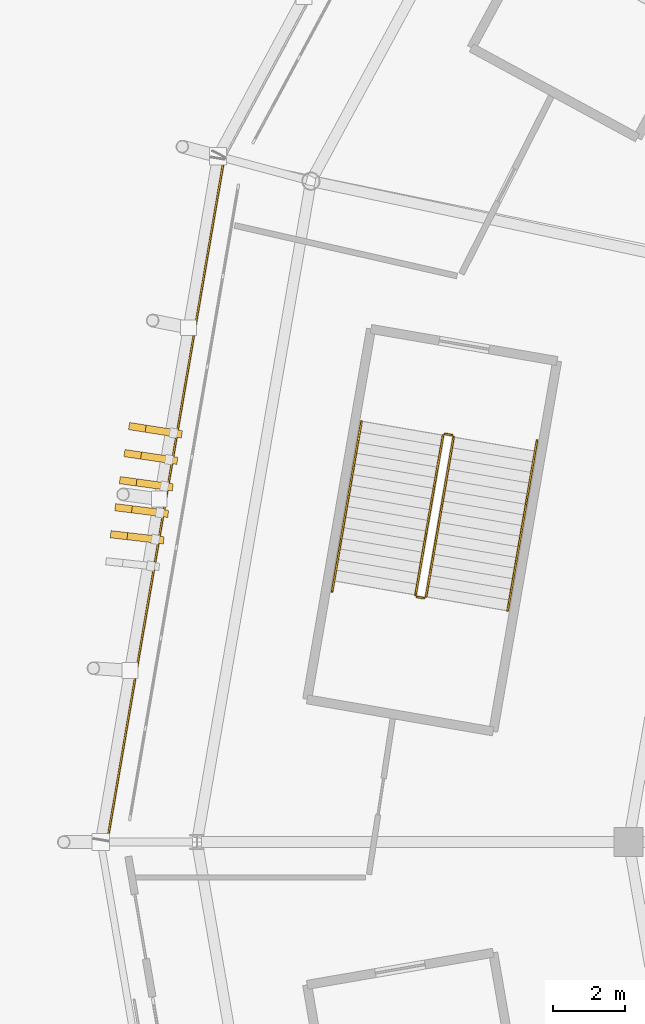
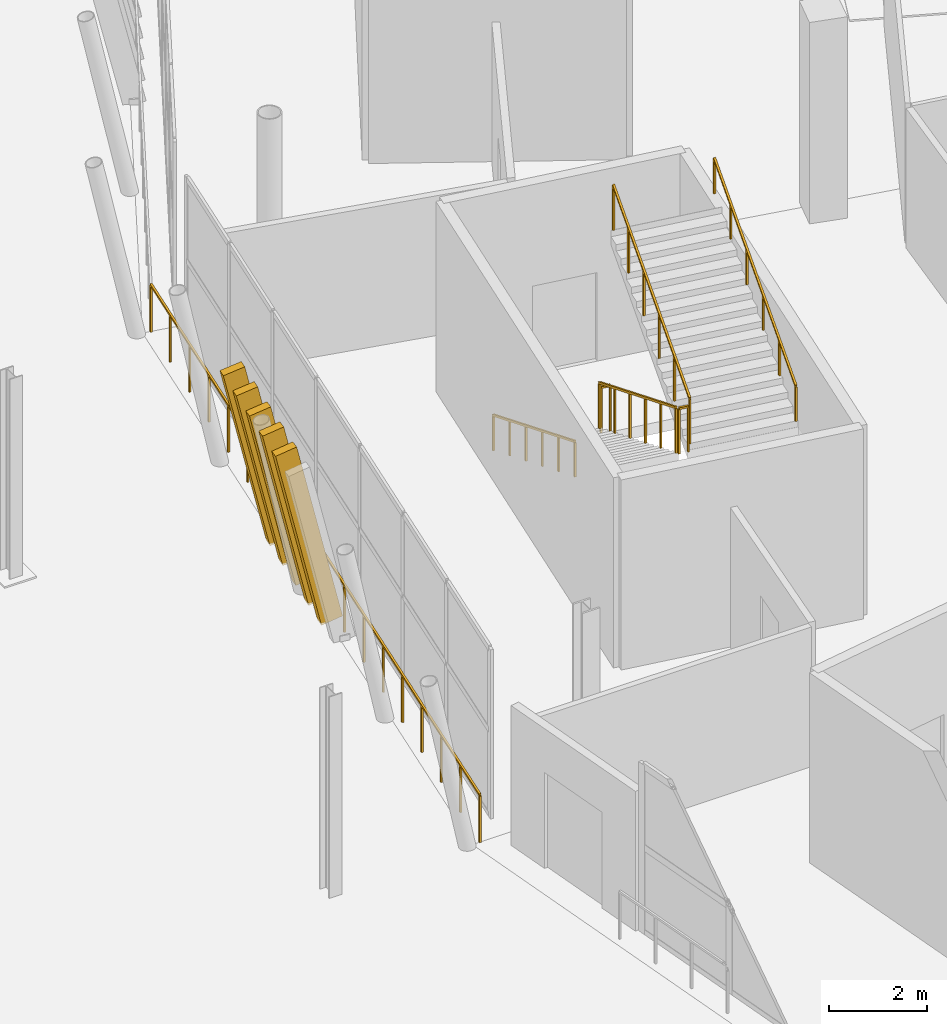
# One storey, part 155 of 179: 7 railings, 5 shading devices.
"""IFC4 building model written with IfcOpenShell, lengths in metres."""

import ifcopenshell
import ifcopenshell.guid

model = None  # the IFC model being written
_history = None  # IfcOwnerHistory: only IFC2X3 demands one
_inside = {}  # id of a spatial element -> (the spatial element, [elements in it])
_under = {}  # id of a project, library or spatial element -> (it, [spatial elements below it])
_declared = {}  # id of a project -> (the project, [libraries it declares])
_typed = {}  # id of a type object -> (the type object, [elements of that type])
_made_of = {}  # id of a material, layer set ... -> (it, [elements and type objects made of it])


def new_model(schema):
    """Start an empty IFC model of exactly this schema.

    Asked for "IFC4X3", IfcOpenShell would pick the latest addendum, in which some entities
    have other attributes; the version numbers below select the first issue.
    IFC2X3 requires an IfcOwnerHistory on every rooted entity: one is made here for all.
    """
    global model, _history
    if schema == "IFC4X3":
        model = ifcopenshell.file(schema_version=(4, 3, 0, 0))
    else:
        model = ifcopenshell.file(schema=schema)
    _inside.clear()
    _under.clear()
    _declared.clear()
    _typed.clear()
    _made_of.clear()
    _history = None
    if model.schema == "IFC2X3":
        org = make("IfcOrganization", Name="unknown")
        user = make(
            "IfcPersonAndOrganization",
            ThePerson=make("IfcPerson", FamilyName="unknown"),
            TheOrganization=org,
        )
        app = make(
            "IfcApplication",
            ApplicationDeveloper=org,
            Version="unknown",
            ApplicationFullName="unknown",
            ApplicationIdentifier="unknown",
        )
        _history = make(
            "IfcOwnerHistory",
            OwningUser=user,
            OwningApplication=app,
            ChangeAction="ADDED",
            CreationDate=0,
        )
    return model


def make(cls, **values):
    """One entity of the class cls with the attributes given. An attribute that is None is left unset."""
    return model.create_entity(
        cls, **{name: value for name, value in values.items() if value is not None}
    )


def rooted(cls, **values):
    """An entity with a GlobalId (a new one), such as an element, a storey or a relation."""
    return make(cls, GlobalId=ifcopenshell.guid.new(), OwnerHistory=_history, **values)


def si_unit(unit_type, name, prefix=None):
    """IfcSIUnit, for example si_unit("LENGTHUNIT", "METRE", prefix="MILLI")."""
    return make("IfcSIUnit", UnitType=unit_type, Prefix=prefix, Name=name)


def assignment(units):
    """IfcUnitAssignment: the units of a project."""
    return None if units is None else make("IfcUnitAssignment", Units=units)


def point(xyz):
    """IfcCartesianPoint."""
    return None if xyz is None else make("IfcCartesianPoint", Coordinates=xyz)


def direction(xyz):
    """IfcDirection."""
    return None if xyz is None else make("IfcDirection", DirectionRatios=xyz)


def frame(location, z_axis=None, x_axis=None):
    """IfcAxis2Placement3D, a coordinate frame: its origin and axes. An axis left out is left unset."""
    return make(
        "IfcAxis2Placement3D",
        Location=point(location),
        Axis=direction(z_axis),
        RefDirection=direction(x_axis),
    )


def frame_2d(location, x_axis=None):
    """IfcAxis2Placement2D, a coordinate frame in the plane: its origin and x axis."""
    return make(
        "IfcAxis2Placement2D", Location=point(location), RefDirection=direction(x_axis)
    )


def origin():
    """The frame at (0, 0, 0) with its axes left unset."""
    return frame((0.0, 0.0, 0.0))


def origin_2d():
    """The frame at (0, 0) in the plane with its x axis left unset."""
    return frame_2d((0.0, 0.0))


def place(relative_to, where):
    """IfcLocalPlacement: puts the frame where relative to a parent placement (None: the world)."""
    return make(
        "IfcLocalPlacement", PlacementRelTo=relative_to, RelativePlacement=where
    )


def context(
    kind, dimensions, precision=None, world=None, true_north=None, identifier=None
):
    """IfcGeometricRepresentationContext, for example the 3D "Model" context."""
    return make(
        "IfcGeometricRepresentationContext",
        ContextIdentifier=identifier,
        ContextType=kind,
        CoordinateSpaceDimension=dimensions,
        Precision=precision,
        WorldCoordinateSystem=world,
        TrueNorth=true_north,
    )


def subcontext(parent, identifier, kind, view, scale=None):
    """IfcGeometricRepresentationSubContext, for example "Body" below "Model"."""
    return make(
        "IfcGeometricRepresentationSubContext",
        ContextIdentifier=identifier,
        ContextType=kind,
        ParentContext=parent,
        TargetScale=scale,
        TargetView=view,
    )


def project(units=None, contexts=None):
    """IfcProject with its units and contexts."""
    return rooted(
        "IfcProject",
        Name="project",
        RepresentationContexts=contexts,
        UnitsInContext=assignment(units),
    )


def spatial(cls, under=None, at=None, **own):
    """A site, building, storey or space (cls), placed at a placement, below another one or the project."""
    s = rooted(cls, ObjectPlacement=at, **own)
    if under is not None:
        _under.setdefault(under.id(), (under, []))[1].append(s)
    return s


def profile(cls, at=None, kind="AREA", **sizes):
    """A parametric profile (cls). Its sizes go by their IFC names, for example OverallWidth=200.0."""
    return make(cls, ProfileType=kind, Position=at, **sizes)


def rectangle(**sizes):
    """IfcRectangleProfileDef."""
    return profile("IfcRectangleProfileDef", **sizes)


def extrude(swept, where, along, depth):
    """IfcExtrudedAreaSolid: the profile swept, set in the frame where, extruded along a direction by depth."""
    return make(
        "IfcExtrudedAreaSolid",
        SweptArea=swept,
        Position=where,
        ExtrudedDirection=direction(along),
        Depth=depth,
    )


def shape(context_of_items, identifier, shape_type, items):
    """IfcShapeRepresentation: the items that make up one representation, for example the "Body"."""
    return make(
        "IfcShapeRepresentation",
        ContextOfItems=context_of_items,
        RepresentationIdentifier=identifier,
        RepresentationType=shape_type,
        Items=items,
    )


def material(Name=None, Category=None):
    """IfcMaterial."""
    return make("IfcMaterial", Name=Name, Category=Category)


def material_profile(
    of_material, cross_section, Name=None, Category=None, Priority=None
):
    """IfcMaterialProfile: a cross section and its material."""
    return make(
        "IfcMaterialProfile",
        Name=Name,
        Material=of_material,
        Profile=cross_section,
        Priority=Priority,
        Category=Category,
    )


def profile_set(profiles, Name=None, composite=None):
    """IfcMaterialProfileSet."""
    return make(
        "IfcMaterialProfileSet",
        Name=Name,
        MaterialProfiles=profiles,
        CompositeProfile=composite,
    )


def made_of(thing, what):
    """Note that an element or type object is made of a material, layer set ...; save() writes the relation."""
    if what is not None:
        _made_of.setdefault(what.id(), (what, []))[1].append(thing)
    return thing


def type_object(cls, material=None, **own):
    """A type object (cls), such as IfcWallType, which elements share."""
    return made_of(rooted(cls, **own), material)


def element(
    cls,
    number,
    at=None,
    inside=None,
    cuts=None,
    type_object=None,
    material=None,
    context=None,
    identifier="Body",
    shape_type=None,
    held_by="IfcProductDefinitionShape",
    body=None,
    shapes=None,
    **own,
):
    """One element of the class cls, such as IfcWall. Its Tag is "e" and its number.

    at: its placement. inside: the storey or other place that contains it. cuts: it is an
    opening in that element (IfcRelVoidsElement). A single representation is given by context,
    identifier, shape_type and body (its items); several are given by shapes. held_by: the class
    of the entity that holds the representations. save() writes the other relations.
    """
    e = rooted(cls, Tag="e%d" % number, ObjectPlacement=at, **own)
    if body is not None:
        shapes = [shape(context, identifier, shape_type, body)]
    if shapes is not None:
        e.Representation = make(held_by, Representations=shapes)
    if inside is not None:
        _inside.setdefault(inside.id(), (inside, []))[1].append(e)
    if cuts is not None:
        rooted(
            "IfcRelVoidsElement", RelatingBuildingElement=cuts, RelatedOpeningElement=e
        )
    if type_object is not None:
        _typed.setdefault(type_object.id(), (type_object, []))[1].append(e)
    return made_of(e, material)


def aggregate(whole, parts):
    """IfcRelAggregates: a whole, such as a stair, and the parts it consists of."""
    return rooted("IfcRelAggregates", RelatingObject=whole, RelatedObjects=parts)


def save(model, path):
    """Write the relations noted so far, then the file.

    IfcRelAggregates (storeys below a building ...), IfcRelContainedInSpatialStructure (elements
    in a storey), IfcRelDefinesByType, IfcRelAssociatesMaterial and IfcRelDeclares: one each for
    every whole, place, type object, material and project.
    """
    for whole, parts in _under.values():
        aggregate(whole, parts)
    for where, things in _inside.values():
        rooted(
            "IfcRelContainedInSpatialStructure",
            RelatedElements=things,
            RelatingStructure=where,
        )
    for kind, things in _typed.values():
        rooted("IfcRelDefinesByType", RelatedObjects=things, RelatingType=kind)
    for what, things in _made_of.values():
        rooted("IfcRelAssociatesMaterial", RelatedObjects=things, RelatingMaterial=what)
    for by, libraries in _declared.values():
        rooted("IfcRelDeclares", RelatingContext=by, RelatedDefinitions=libraries)
    model.write(path)


model = new_model("IFC4")

# Units and contexts
model_context = context("Model", 3, precision=1e-05, world=origin(), true_north=direction((0.0, 1.0)))
body_context = subcontext(model_context, "Body", "Model", "MODEL_VIEW")
ifc_project = project(units=[si_unit("LENGTHUNIT", "METRE"), si_unit("AREAUNIT", "SQUARE_METRE"), si_unit("VOLUMEUNIT", "CUBIC_METRE"), si_unit("PLANEANGLEUNIT", "RADIAN"), si_unit("MASSUNIT", "GRAM", prefix="KILO")], contexts=[model_context])

# Site, building, storey
site_placement = place(None, origin())
site = spatial("IfcSite", under=ifc_project, at=site_placement, CompositionType="ELEMENT")
building_placement = place(site_placement, origin())
building = spatial("IfcBuilding", under=site, at=building_placement, Name="Zlatoyarsky Gate Stadium", CompositionType="ELEMENT")
storey_placement = place(building_placement, frame((0.0, 0.0, 10.60009765625)))
storey = spatial("IfcBuildingStorey", under=building, at=storey_placement, Name="L02", CompositionType="ELEMENT", Elevation=10.60009765625)

# Railings
ifc_material_1 = material(Name="Powder-coated steel tubular guardrail", Category="steel")
railing_type_1 = type_object("IfcRailingType", Name="CONCOURSE SLAB EDGE GUARDRAIL 1200", PredefinedType="GUARDRAIL", material=ifc_material_1)
railing_1_placement = place(storey_placement, frame((18.758056640625, 99.022216796875, 0.0)))
element("IfcRailing", 1, at=railing_1_placement, inside=storey, type_object=railing_type_1, Name="L02 outer slab edge guardrail 11", PredefinedType="GUARDRAIL", context=body_context, shape_type="SweptSolid", body=[
    extrude(rectangle(XDim=0.048095703125, YDim=0.048095703125, at=origin_2d()), frame((0.0, 0.0, 1.17578125), z_axis=(-0.168609161888, -0.985682986831, 0.0), x_axis=(0.985682986831, -0.168609161888, 0.0)), (0.0, 0.0, 1.0), 19.298583984375),
    extrude(rectangle(XDim=0.0419921875, YDim=0.0419921875, at=origin_2d()), origin(), (0.0, 0.0, 1.0), 1.15185546875),
    extrude(rectangle(XDim=0.0419921875, YDim=0.0419921875, at=origin_2d()), frame((-0.19140625, -1.118896484375, 0.0)), (0.0, 0.0, 1.0), 1.15185546875),
    extrude(rectangle(XDim=0.0419921875, YDim=0.0419921875, at=origin_2d()), frame((-0.3828125, -2.23779296875, 0.0)), (0.0, 0.0, 1.0), 1.15185546875),
    extrude(rectangle(XDim=0.0419921875, YDim=0.0419921875, at=origin_2d()), frame((-0.57421875, -3.35693359375, 0.0)), (0.0, 0.0, 1.0), 1.15185546875),
    extrude(rectangle(XDim=0.0419921875, YDim=0.0419921875, at=origin_2d()), frame((-0.765625, -4.475830078125, 0.0)), (0.0, 0.0, 1.0), 1.15185546875),
    extrude(rectangle(XDim=0.0419921875, YDim=0.0419921875, at=origin_2d()), frame((-0.95703125, -5.5947265625, 0.0)), (0.0, 0.0, 1.0), 1.15185546875),
    extrude(rectangle(XDim=0.0419921875, YDim=0.0419921875, at=origin_2d()), frame((-1.1484375, -6.713623046875, 0.0)), (0.0, 0.0, 1.0), 1.15185546875),
    extrude(rectangle(XDim=0.0419921875, YDim=0.0419921875, at=origin_2d()), frame((-1.33984375, -7.832763671875, 0.0)), (0.0, 0.0, 1.0), 1.15185546875),
    extrude(rectangle(XDim=0.0419921875, YDim=0.0419921875, at=origin_2d()), frame((-1.53125, -8.95166015625, 0.0)), (0.0, 0.0, 1.0), 1.15185546875),
    extrude(rectangle(XDim=0.0419921875, YDim=0.0419921875, at=origin_2d()), frame((-1.72265625, -10.070556640625, 0.0)), (0.0, 0.0, 1.0), 1.15185546875),
    extrude(rectangle(XDim=0.0419921875, YDim=0.0419921875, at=origin_2d()), frame((-1.9140625, -11.189453125, 0.0)), (0.0, 0.0, 1.0), 1.15185546875),
    extrude(rectangle(XDim=0.0419921875, YDim=0.0419921875, at=origin_2d()), frame((-2.10546875, -12.30859375, 0.0)), (0.0, 0.0, 1.0), 1.15185546875),
    extrude(rectangle(XDim=0.0419921875, YDim=0.0419921875, at=origin_2d()), frame((-2.296875, -13.427490234375, 0.0)), (0.0, 0.0, 1.0), 1.15185546875),
    extrude(rectangle(XDim=0.0419921875, YDim=0.0419921875, at=origin_2d()), frame((-2.48828125, -14.54638671875, 0.0)), (0.0, 0.0, 1.0), 1.15185546875),
    extrude(rectangle(XDim=0.0419921875, YDim=0.0419921875, at=origin_2d()), frame((-2.6796875, -15.665283203125, 0.0)), (0.0, 0.0, 1.0), 1.15185546875),
    extrude(rectangle(XDim=0.0419921875, YDim=0.0419921875, at=origin_2d()), frame((-2.87109375, -16.784423828125, 0.0)), (0.0, 0.0, 1.0), 1.15185546875),
    extrude(rectangle(XDim=0.0419921875, YDim=0.0419921875, at=origin_2d()), frame((-3.0625, -17.9033203125, 0.0)), (0.0, 0.0, 1.0), 1.15185546875),
    extrude(rectangle(XDim=0.0419921875, YDim=0.0419921875, at=origin_2d()), frame((-3.25390625, -19.022216796875, 0.0)), (0.0, 0.0, 1.0), 1.15185546875),
])
ifc_material_2 = material(Name="Powder-coated steel stair guardrail", Category="steel")
railing_type_2 = type_object("IfcRailingType", Name="PAINTED STEEL STAIR WELL GUARDRAIL 1150", PredefinedType="GUARDRAIL", material=ifc_material_2)
railing_2_placement = place(storey_placement, frame((24.841064453125, 91.30859375, 0.15625)))
element("IfcRailing", 2, at=railing_2_placement, inside=storey, type_object=railing_type_2, Name="ST-18 L02 stair guard 1", PredefinedType="GUARDRAIL", context=body_context, shape_type="SweptSolid", body=[
    extrude(rectangle(XDim=0.048095703125, YDim=0.048095703125, at=origin_2d()), frame((0.0, 0.0, 1.1259765625), z_axis=(-0.150705808246, -0.874016698911, 0.461933511867), x_axis=(0.985457609709, -0.16992145087, 0.0)), (0.0, 0.0, 1.0), 5.07373046875),
    extrude(rectangle(XDim=0.0419921875, YDim=0.0419921875, at=origin_2d()), origin(), (0.0, 0.0, 1.0), 1.101806640625),
    extrude(rectangle(XDim=0.0419921875, YDim=0.0419921875, at=origin_2d()), frame((-0.15283203125, -0.886962890625, 0.46875)), (0.0, 0.0, 1.0), 1.101806640625),
    extrude(rectangle(XDim=0.0419921875, YDim=0.0419921875, at=origin_2d()), frame((-0.305908203125, -1.77392578125, 0.9375)), (0.0, 0.0, 1.0), 1.101806640625),
    extrude(rectangle(XDim=0.0419921875, YDim=0.0419921875, at=origin_2d()), frame((-0.458740234375, -2.66064453125, 1.40625)), (0.0, 0.0, 1.0), 1.101806640625),
    extrude(rectangle(XDim=0.0419921875, YDim=0.0419921875, at=origin_2d()), frame((-0.61181640625, -3.547607421875, 1.875)), (0.0, 0.0, 1.0), 1.101806640625),
    extrude(rectangle(XDim=0.0419921875, YDim=0.0419921875, at=origin_2d()), frame((-0.7646484375, -4.4345703125, 2.34375)), (0.0, 0.0, 1.0), 1.101806640625),
])
railing_3_placement = place(storey_placement, frame((24.1171875, 86.81640625, 2.5)))
element("IfcRailing", 3, at=railing_3_placement, inside=storey, type_object=railing_type_2, Name="ST-18 L02 stair guard 2", PredefinedType="GUARDRAIL", context=body_context, shape_type="SweptSolid", body=[
    extrude(rectangle(XDim=0.048095703125, YDim=0.048095703125, at=origin_2d()), frame((0.0, 0.0, 1.1259765625), z_axis=(0.985488304827, -0.16974333875, 0.0), x_axis=(0.16974333875, 0.985488304827, 0.0)), (0.0, 0.0, 1.0), 0.199951171875),
    extrude(rectangle(XDim=0.0419921875, YDim=0.0419921875, at=origin_2d()), origin(), (0.0, 0.0, 1.0), 1.101806640625),
    extrude(rectangle(XDim=0.0419921875, YDim=0.0419921875, at=origin_2d()), frame((0.197021484375, -0.033935546875, 0.0)), (0.0, 0.0, 1.0), 1.101806640625),
])
railing_4_placement = place(storey_placement, frame((24.3720703125, 86.8232421875, 2.65625)))
element("IfcRailing", 4, at=railing_4_placement, inside=storey, type_object=railing_type_2, Name="ST-18 L02 stair guard 3", PredefinedType="GUARDRAIL", context=body_context, shape_type="SweptSolid", body=[
    extrude(rectangle(XDim=0.048095703125, YDim=0.048095703125, at=origin_2d()), frame((0.0, 0.0, 1.1259765625), z_axis=(0.150705808246, 0.874016698911, 0.461933511867), x_axis=(-0.985457609709, 0.16992145087, 0.0)), (0.0, 0.0, 1.0), 5.07373046875),
    extrude(rectangle(XDim=0.0419921875, YDim=0.0419921875, at=origin_2d()), origin(), (0.0, 0.0, 1.0), 1.101806640625),
    extrude(rectangle(XDim=0.0419921875, YDim=0.0419921875, at=origin_2d()), frame((0.15283203125, 0.886962890625, 0.46875)), (0.0, 0.0, 1.0), 1.101806640625),
    extrude(rectangle(XDim=0.0419921875, YDim=0.0419921875, at=origin_2d()), frame((0.305908203125, 1.77392578125, 0.9375)), (0.0, 0.0, 1.0), 1.101806640625),
    extrude(rectangle(XDim=0.0419921875, YDim=0.0419921875, at=origin_2d()), frame((0.458740234375, 2.66064453125, 1.40625)), (0.0, 0.0, 1.0), 1.101806640625),
    extrude(rectangle(XDim=0.0419921875, YDim=0.0419921875, at=origin_2d()), frame((0.61181640625, 3.547607421875, 1.875)), (0.0, 0.0, 1.0), 1.101806640625),
    extrude(rectangle(XDim=0.0419921875, YDim=0.0419921875, at=origin_2d()), frame((0.7646484375, 4.4345703125, 2.34375)), (0.0, 0.0, 1.0), 1.101806640625),
])
railing_5_placement = place(storey_placement, frame((24.89892578125, 91.349365234375, 0.0)))
element("IfcRailing", 5, at=railing_5_placement, inside=storey, type_object=railing_type_2, Name="ST-18 L02 stair guard 4", PredefinedType="GUARDRAIL", context=body_context, shape_type="SweptSolid", body=[
    extrude(rectangle(XDim=0.048095703125, YDim=0.048095703125, at=origin_2d()), frame((0.0, 0.0, 1.1259765625), z_axis=(0.985488304827, -0.16974333875, 0.0), x_axis=(0.16974333875, 0.985488304827, 0.0)), (0.0, 0.0, 1.0), 0.199951171875),
    extrude(rectangle(XDim=0.0419921875, YDim=0.0419921875, at=origin_2d()), origin(), (0.0, 0.0, 1.0), 1.101806640625),
    extrude(rectangle(XDim=0.0419921875, YDim=0.0419921875, at=origin_2d()), frame((0.197021484375, -0.033935546875, 0.0)), (0.0, 0.0, 1.0), 1.101806640625),
])

# Shading devices
ifc_material_3 = material(Name="Precast concrete C40/50 stone-toned architectural rib", Category="masonry")
ifc_material_profile = material_profile(ifc_material_3, rectangle(XDim=0.199951171875, YDim=0.47998046875, at=origin_2d()), Name="RIB 200X480")
ifc_profile_set = profile_set([ifc_material_profile], Name="Precast concrete C40/50 stone-toned architectural rib")
shading_device_type = type_object("IfcShadingDeviceType", Name="PRECAST FLUTED GATE LOUVRE BLADE 200X480", PredefinedType="SHUTTER", material=ifc_profile_set)
for number, where, z_axis, x_axis, name in (
    (6, (17.348876953125, 91.372314453125, -0.010009765625), (-0.218837821303, 0.034489010691, 0.975151534947), (-0.155679254543, -0.987807658254, 0.0), "Leaning bowl louvre fin L02-11-1"),
    (7, (17.222412109375, 90.6328125, -0.010009765625), (-0.219157317157, 0.032310293121, 0.975154405874), (-0.145853104937, -0.989306257829, 0.0), "Leaning bowl louvre fin L02-11-2"),
):
    element("IfcShadingDevice", number, at=place(storey_placement, frame(where, z_axis=z_axis, x_axis=x_axis)), inside=storey, type_object=shading_device_type, Name=name, PredefinedType="SHUTTER", context=body_context, shape_type="SweptSolid", body=[
        extrude(rectangle(XDim=0.199951171875, YDim=0.47998046875, at=origin_2d()), origin(), (0.0, 0.0, 1.0), 4.59423828125),
    ])
for number, where, z_axis, x_axis, name in (
    (8, (17.095947265625, 89.8935546875, -0.010009765625), (-0.219425869262, 0.030025579107, 0.975167038254), (-0.135573627963, -0.990767274087, 0.0), "Leaning bowl louvre fin L02-11-3"),
    (9, (16.969482421875, 89.154296875, -0.010009765625), (-0.219692941436, 0.027793761096, 0.975173070961), (-0.125511419329, -0.992092174961, 0.0), "Leaning bowl louvre fin L02-11-4"),
):
    element("IfcShadingDevice", number, at=place(storey_placement, frame(where, z_axis=z_axis, x_axis=x_axis)), inside=storey, type_object=shading_device_type, Name=name, PredefinedType="SHUTTER", context=body_context, shape_type="SweptSolid", body=[
        extrude(rectangle(XDim=0.199951171875, YDim=0.47998046875, at=origin_2d()), origin(), (0.0, 0.0, 1.0), 4.593994140625),
    ])
shading_device_placement = place(storey_placement, frame((16.84326171875, 88.4150390625, -0.010009765625), z_axis=(-0.220060045727, 0.025561188601, 0.975151373845), x_axis=(-0.115379767914, -0.993321453084, 0.0)))
element("IfcShadingDevice", 10, at=shading_device_placement, inside=storey, type_object=shading_device_type, Name="Leaning bowl louvre fin L02-11-5", PredefinedType="SHUTTER", context=body_context, shape_type="SweptSolid", body=[
    extrude(rectangle(XDim=0.199951171875, YDim=0.47998046875, at=origin_2d()), origin(), (0.0, 0.0, 1.0), 4.59423828125),
])

# Railings
ifc_material_4 = material(Name="Brushed stainless steel 316 handrail", Category="steel")
railing_type_3 = type_object("IfcRailingType", Name="STAINLESS STEEL TUBULAR HANDRAIL 900", PredefinedType="HANDRAIL", material=ifc_material_4)
railing_6_placement = place(storey_placement, frame((22.574462890625, 91.699462890625, 0.16015625)))
element("IfcRailing", 11, at=railing_6_placement, inside=storey, type_object=railing_type_3, Name="ST-18 L02 stair handrail 1", PredefinedType="HANDRAIL", context=body_context, shape_type="SweptSolid", body=[
    extrude(rectangle(XDim=0.048095703125, YDim=0.048095703125, at=origin_2d()), frame((0.0, 0.0, 0.8759765625), z_axis=(-0.150714229303, -0.874016220516, 0.461931669579), x_axis=(0.985456004189, -0.169930761806, 0.0)), (0.0, 0.0, 1.0), 5.412109375),
    extrude(rectangle(XDim=0.0419921875, YDim=0.0419921875, at=origin_2d()), origin(), (0.0, 0.0, 1.0), 0.851806640625),
    extrude(rectangle(XDim=0.0419921875, YDim=0.0419921875, at=origin_2d()), frame((-0.1630859375, -0.946044921875, 0.5)), (0.0, 0.0, 1.0), 0.851806640625),
    extrude(rectangle(XDim=0.0419921875, YDim=0.0419921875, at=origin_2d()), frame((-0.326171875, -1.89208984375, 1.0)), (0.0, 0.0, 1.0), 0.851806640625),
    extrude(rectangle(XDim=0.0419921875, YDim=0.0419921875, at=origin_2d()), frame((-0.489501953125, -2.838134765625, 1.5)), (0.0, 0.0, 1.0), 0.851806640625),
    extrude(rectangle(XDim=0.0419921875, YDim=0.0419921875, at=origin_2d()), frame((-0.652587890625, -3.7841796875, 2.0)), (0.0, 0.0, 1.0), 0.851806640625),
    extrude(rectangle(XDim=0.0419921875, YDim=0.0419921875, at=origin_2d()), frame((-0.815673828125, -4.730224609375, 2.5)), (0.0, 0.0, 1.0), 0.851806640625),
])
railing_7_placement = place(storey_placement, frame((26.638427734375, 86.432373046875, 2.66015625)))
element("IfcRailing", 12, at=railing_7_placement, inside=storey, type_object=railing_type_3, Name="ST-18 L02 stair handrail 2", PredefinedType="HANDRAIL", context=body_context, shape_type="SweptSolid", body=[
    extrude(rectangle(XDim=0.048095703125, YDim=0.048095703125, at=origin_2d()), frame((0.0, 0.0, 0.8759765625), z_axis=(0.150758314693, 0.874010277429, 0.461928528561), x_axis=(-0.985447485669, 0.169980154689, 0.0)), (0.0, 0.0, 1.0), 5.412109375),
    extrude(rectangle(XDim=0.0419921875, YDim=0.0419921875, at=origin_2d()), origin(), (0.0, 0.0, 1.0), 0.851806640625),
    extrude(rectangle(XDim=0.0419921875, YDim=0.0419921875, at=origin_2d()), frame((0.1630859375, 0.946044921875, 0.5)), (0.0, 0.0, 1.0), 0.851806640625),
    extrude(rectangle(XDim=0.0419921875, YDim=0.0419921875, at=origin_2d()), frame((0.326416015625, 1.89208984375, 1.0)), (0.0, 0.0, 1.0), 0.851806640625),
    extrude(rectangle(XDim=0.0419921875, YDim=0.0419921875, at=origin_2d()), frame((0.489501953125, 2.838134765625, 1.5)), (0.0, 0.0, 1.0), 0.851806640625),
    extrude(rectangle(XDim=0.0419921875, YDim=0.0419921875, at=origin_2d()), frame((0.65283203125, 3.7841796875, 2.0)), (0.0, 0.0, 1.0), 0.851806640625),
    extrude(rectangle(XDim=0.0419921875, YDim=0.0419921875, at=origin_2d()), frame((0.81591796875, 4.730224609375, 2.5)), (0.0, 0.0, 1.0), 0.851806640625),
])

save(model, "model.ifc")
